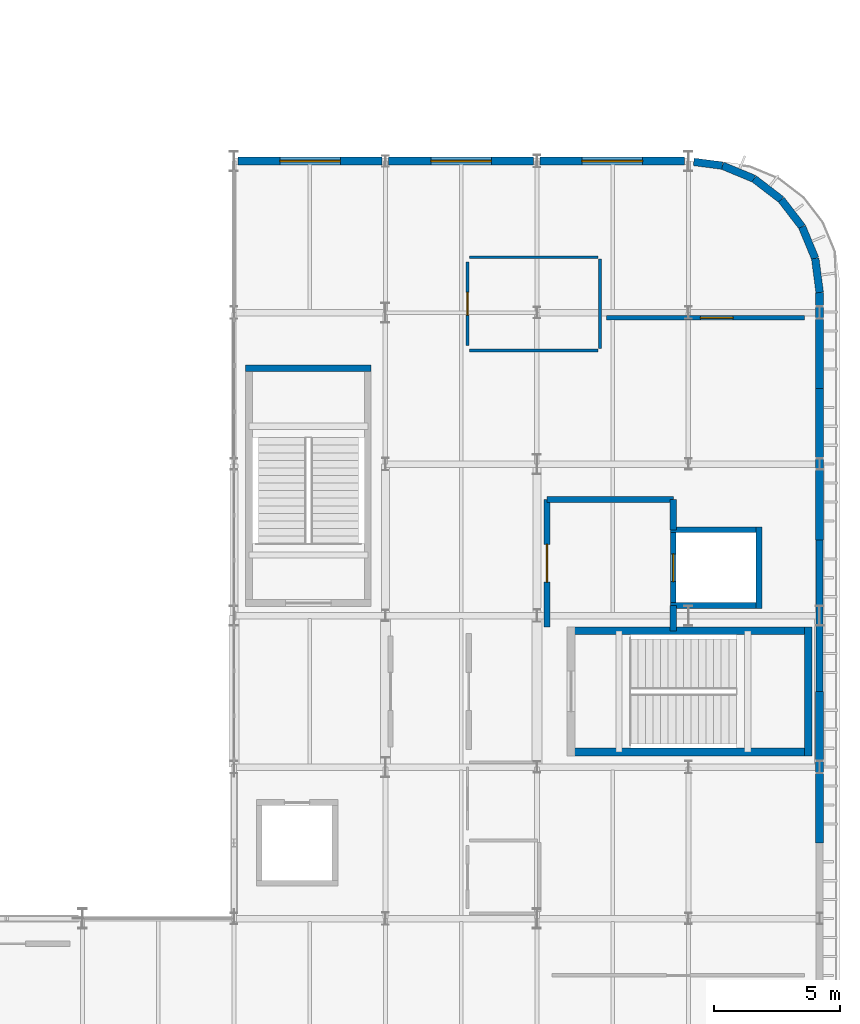
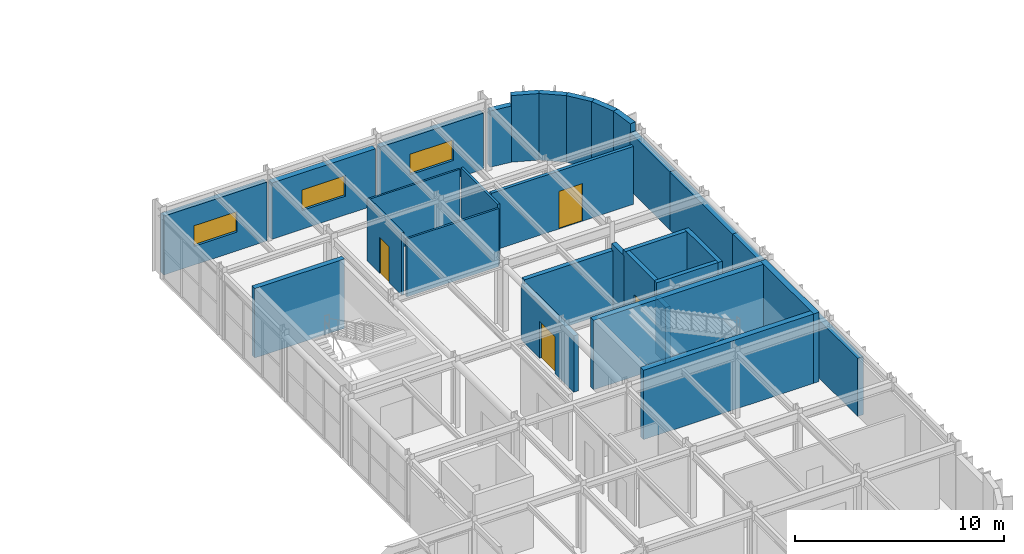
# One storey, part 65 of 83: 30 walls, 4 doors, 3 windows, 7 openings.
"""IFC4 building model written with IfcOpenShell, lengths in metres."""

from ifc_helpers import new_model, si_unit, direction, frame, frame_2d, origin, place, context, subcontext, project, spatial, rectangle, extrude, material, layer, layer_set, type_object, element, fill, save


model = new_model("IFC4")

# Units and contexts
model_context = context("Model", 3, precision=1e-05, world=origin(), true_north=direction((0.0, 1.0)))
body_context = subcontext(model_context, "Body", "Model", "MODEL_VIEW")
ifc_project = project(units=[si_unit("LENGTHUNIT", "METRE"), si_unit("AREAUNIT", "SQUARE_METRE"), si_unit("VOLUMEUNIT", "CUBIC_METRE"), si_unit("PLANEANGLEUNIT", "RADIAN"), si_unit("MASSUNIT", "GRAM", prefix="KILO")], contexts=[model_context])

# Site, building, storey
site_placement = place(None, origin())
site = spatial("IfcSite", under=ifc_project, at=site_placement, CompositionType="ELEMENT")
building_placement = place(site_placement, origin())
building = spatial("IfcBuilding", under=site, at=building_placement, Name="Varnakota Square Police Headquarters", CompositionType="ELEMENT")
storey_placement = place(building_placement, frame((0.0, 0.0, 18.0)))
storey = spatial("IfcBuildingStorey", under=building, at=storey_placement, Name="L04", CompositionType="ELEMENT", Elevation=18.0)

# Walls
ifc_material_1 = material(Name="Concrete M40", Category="concrete")
ifc_layer_1 = layer(ifc_material_1, 0.22998046875, Name="Concrete M40")
ifc_layer_set_1 = layer_set([ifc_layer_1], Name="Concrete M40")
wall_type_1 = type_object("IfcWallType", Name="WL-CORE-230", PredefinedType="SHEAR", material=ifc_layer_set_1)
wall_1_placement = place(storey_placement, frame((155.284912109375, 27.39990234375, 0.0), z_axis=(0.0, 0.0, 1.0), x_axis=(1.0, 0.0, 0.0)))
element("IfcWall", 1, at=wall_1_placement, inside=storey, type_object=wall_type_1, Name="Lift shaft wall LF-FF2 L04 S", PredefinedType="SHEAR", context=body_context, shape_type="SweptSolid", body=[
    extrude(rectangle(XDim=3.630126953125, YDim=0.22998046875, at=frame_2d((1.81494140625, 0.0))), origin(), (0.0, 0.0, 1.0), 4.199951171875),
])
wall_2_placement = place(storey_placement, frame((158.800048828125, 27.284912109375, 0.0), z_axis=(0.0, 0.0, 1.0), x_axis=(0.0, 1.0, 0.0)))
element("IfcWall", 2, at=wall_2_placement, inside=storey, type_object=wall_type_1, Name="Lift shaft wall LF-FF2 L04 E", PredefinedType="SHEAR", context=body_context, shape_type="SweptSolid", body=[
    extrude(rectangle(XDim=3.22998046875, YDim=0.22998046875, at=frame_2d((1.614990234375, 0.0))), origin(), (0.0, 0.0, 1.0), 4.199951171875),
])
wall_3_placement = place(storey_placement, frame((158.9150390625, 30.39990234375, 0.0), z_axis=(0.0, 0.0, 1.0), x_axis=(-1.0, 0.0, 0.0)))
element("IfcWall", 3, at=wall_3_placement, inside=storey, type_object=wall_type_1, Name="Lift shaft wall LF-FF2 L04 N", PredefinedType="SHEAR", context=body_context, shape_type="SweptSolid", body=[
    extrude(rectangle(XDim=3.630126953125, YDim=0.22998046875, at=frame_2d((1.81494140625, 0.0))), origin(), (0.0, 0.0, 1.0), 4.199951171875),
])

# Wall, opening, door
wall_4_placement = place(storey_placement, frame((155.39990234375, 30.514892578125, 0.0), z_axis=(0.0, 0.0, 1.0), x_axis=(0.0, -1.0, 0.0)))
wall_4 = element("IfcWall", 4, at=wall_4_placement, inside=storey, type_object=wall_type_1, Name="Lift shaft wall LF-FF2 L04 W", PredefinedType="SHEAR", context=body_context, shape_type="SweptSolid", body=[
    extrude(rectangle(XDim=3.22998046875, YDim=0.22998046875, at=frame_2d((1.614990234375, 0.0))), origin(), (0.0, 0.0, 1.0), 4.199951171875),
])
opening_1_placement = place(wall_4_placement, frame((1.06494140625, 0.0, 0.0)))
opening_1 = element("IfcOpeningElement", 5, at=opening_1_placement, cuts=wall_4, Name="Opening LD013", PredefinedType="OPENING", context=body_context, shape_type="SweptSolid", body=[
    extrude(rectangle(XDim=1.10009765625, YDim=2.199951171875, at=frame_2d((0.550048828125, 1.10009765625))), frame((0.0, 0.125, 0.0), z_axis=(0.0, -1.0, 0.0), x_axis=(1.0, 0.0, 0.0)), (0.0, 0.0, 1.0), 0.25),
])
ifc_material_2 = material(Name="Brushed Grade 316 Stainless Steel", Category="steel")
door_type_1 = type_object("IfcDoorType", Name="DR-LD-FF", OperationType="NOTDEFINED", PredefinedType="DOOR", material=ifc_material_2)
door_1_placement = place(opening_1_placement, origin())
door_1 = element("IfcDoor", 6, at=door_1_placement, inside=storey, type_object=door_type_1, Name="Lift sliding landing door LD013", OperationType="SLIDING_TO_LEFT", OverallHeight=2.199951171875, OverallWidth=1.10009765625, PredefinedType="DOOR", context=body_context, shape_type="SweptSolid", body=[
    extrude(rectangle(XDim=1.10009765625, YDim=2.199951171875, at=frame_2d((0.550048828125, 1.10009765625))), frame((0.0, 0.02490234375, 0.0), z_axis=(0.0, -1.0, 0.0), x_axis=(1.0, 0.0, 0.0)), (0.0, 0.0, 1.0), 0.050048828125),
])
fill(opening_1, door_1)

# Walls
ifc_material_3 = material(Name="Concrete M50", Category="concrete")
ifc_layer_2 = layer(ifc_material_3, 0.27001953125, Name="Concrete M50")
ifc_layer_set_2 = layer_set([ifc_layer_2], Name="Concrete M50")
wall_type_2 = type_object("IfcWallType", Name="WL-CORE-270", PredefinedType="SHEAR", material=ifc_layer_set_2)
wall_5_placement = place(storey_placement, frame((143.43505859375, 36.800048828125, 0.0), z_axis=(0.0, 0.0, 1.0), x_axis=(-1.0, 0.0, 0.0)))
element("IfcWall", 7, at=wall_5_placement, inside=storey, type_object=wall_type_2, Name="Core C3 shear wall L04 N", PredefinedType="SHEAR", context=body_context, shape_type="SweptSolid", body=[
    extrude(rectangle(XDim=4.969970703125, YDim=0.27001953125, at=frame_2d((2.48486328125, 0.0))), origin(), (0.0, 0.0, 1.0), 4.06005859375),
])
ifc_layer_3 = layer(ifc_material_3, 0.31005859375, Name="Concrete M50")
ifc_layer_set_3 = layer_set([ifc_layer_3], Name="Concrete M50")
wall_type_3 = type_object("IfcWallType", Name="WL-CORE-310", PredefinedType="SHEAR", material=ifc_layer_set_3)
wall_6_placement = place(storey_placement, frame((151.195068359375, 21.60009765625, 0.0), z_axis=(0.0, 0.0, 1.0), x_axis=(1.0, 0.0, 0.0)))
element("IfcWall", 8, at=wall_6_placement, inside=storey, type_object=wall_type_3, Name="Core C2 shear wall L04 S", PredefinedType="SHEAR", context=body_context, shape_type="SweptSolid", body=[
    extrude(rectangle(XDim=9.7099609375, YDim=0.31005859375, at=frame_2d((4.85498046875, 0.0))), origin(), (0.0, 0.0, 1.0), 4.06005859375),
])
wall_7_placement = place(storey_placement, frame((160.75, 21.445068359375, 0.0), z_axis=(0.0, 0.0, 1.0), x_axis=(0.0, 1.0, 0.0)))
element("IfcWall", 9, at=wall_7_placement, inside=storey, type_object=wall_type_3, Name="Core C2 shear wall L04 E", PredefinedType="SHEAR", context=body_context, shape_type="SweptSolid", body=[
    extrude(rectangle(XDim=5.10986328125, YDim=0.31005859375, at=frame_2d((2.554931640625, 0.0))), origin(), (0.0, 0.0, 1.0), 4.06005859375),
])
wall_8_placement = place(storey_placement, frame((160.905029296875, 26.39990234375, 0.0), z_axis=(0.0, 0.0, 1.0), x_axis=(-1.0, 0.0, 0.0)))
element("IfcWall", 10, at=wall_8_placement, inside=storey, type_object=wall_type_3, Name="Core C2 shear wall L04 N", PredefinedType="SHEAR", context=body_context, shape_type="SweptSolid", body=[
    extrude(rectangle(XDim=9.7099609375, YDim=0.31005859375, at=frame_2d((4.85498046875, 0.0))), origin(), (0.0, 0.0, 1.0), 4.06005859375),
])
ifc_layer_4 = layer(ifc_material_1, 0.280029296875, Name="Concrete M40")
ifc_layer_set_4 = layer_set([ifc_layer_4], Name="Concrete M40")
wall_type_4 = type_object("IfcWallType", Name="WL-EXT-280", PredefinedType="SOLIDWALL", material=ifc_layer_set_4)
wall_9_placement = place(storey_placement, frame((161.199951171875, 24.0, 0.0), z_axis=(0.0, 0.0, 1.0), x_axis=(0.0, 1.0, 0.0)))
element("IfcWall", 11, at=wall_9_placement, inside=storey, type_object=wall_type_4, Name="Exterior wall EW-L04-0253", PredefinedType="SOLIDWALL", context=body_context, shape_type="SweptSolid", body=[
    extrude(rectangle(XDim=6.0, YDim=0.280029296875, at=frame_2d((3.0, 0.0))), origin(), (0.0, 0.0, 1.0), 3.389892578125),
])
ifc_material_4 = material(Name="Precast concrete M40", Category="concrete")
ifc_layer_5 = layer(ifc_material_4, 0.300048828125, Name="Precast concrete M40")
ifc_layer_set_5 = layer_set([ifc_layer_5], Name="Precast concrete M40")
wall_type_5 = type_object("IfcWallType", Name="WL-EXT-300", PredefinedType="SOLIDWALL", material=ifc_layer_set_5)
wall_10_placement = place(storey_placement, frame((161.199951171875, 39.800048828125, 0.0), z_axis=(0.0, 0.0, 1.0), x_axis=(-0.130561507967, 0.991440211328, 0.0)))
element("IfcWall", 12, at=wall_10_placement, inside=storey, type_object=wall_type_5, Name="Exterior wall EW-L04-0275", PredefinedType="SOLIDWALL", context=body_context, shape_type="SweptSolid", body=[
    extrude(rectangle(XDim=1.357666015625, YDim=0.300048828125, at=frame_2d((0.6787109375, 0.0))), origin(), (0.0, 0.0, 1.0), 3.89501953125),
])
wall_11_placement = place(storey_placement, frame((161.022705078125, 41.14599609375, 0.0), z_axis=(0.0, 0.0, 1.0), x_axis=(-0.382621882407, 0.923905024937, 0.0)))
element("IfcWall", 13, at=wall_11_placement, inside=storey, type_object=wall_type_5, Name="Exterior wall EW-L04-0276", PredefinedType="SOLIDWALL", context=body_context, shape_type="SweptSolid", body=[
    extrude(rectangle(XDim=1.357177734375, YDim=0.300048828125, at=frame_2d((0.6787109375, 0.0))), origin(), (0.0, 0.0, 1.0), 3.89501953125),
])
wall_12_placement = place(storey_placement, frame((160.50341796875, 42.39990234375, 0.0), z_axis=(0.0, 0.0, 1.0), x_axis=(-0.60871087169, 0.793392131727, 0.0)))
element("IfcWall", 14, at=wall_12_placement, inside=storey, type_object=wall_type_5, Name="Exterior wall EW-L04-0277", PredefinedType="SOLIDWALL", context=body_context, shape_type="SweptSolid", body=[
    extrude(rectangle(XDim=1.357666015625, YDim=0.300048828125, at=frame_2d((0.6787109375, 0.0))), origin(), (0.0, 0.0, 1.0), 3.89501953125),
])
for number, where, z_axis, x_axis, name in (
    (15, (159.677001953125, 43.47705078125, 0.0), (0.0, 0.0, 1.0), (-0.793412351971, 0.608684515772, 0.0), "Exterior wall EW-L04-0278"),
    (16, (158.60009765625, 44.30322265625, 0.0), (0.0, 0.0, 1.0), (-0.92386777328, 0.382711820428, 0.0), "Exterior wall EW-L04-0279"),
):
    element("IfcWall", number, at=place(storey_placement, frame(where, z_axis=z_axis, x_axis=x_axis)), inside=storey, type_object=wall_type_5, Name=name, PredefinedType="SOLIDWALL", context=body_context, shape_type="SweptSolid", body=[
        extrude(rectangle(XDim=1.357421875, YDim=0.300048828125, at=frame_2d((0.6787109375, 0.0))), origin(), (0.0, 0.0, 1.0), 3.89501953125),
    ])
wall_13_placement = place(storey_placement, frame((157.345947265625, 44.82275390625, 0.0), z_axis=(0.0, 0.0, 1.0), x_axis=(-0.991444840399, 0.130526351537, 0.0)))
element("IfcWall", 17, at=wall_13_placement, inside=storey, type_object=wall_type_5, Name="Exterior wall EW-L04-0280", PredefinedType="SOLIDWALL", context=body_context, shape_type="SweptSolid", body=[
    extrude(rectangle(XDim=1.142822265625, YDim=0.300048828125, at=frame_2d((0.5712890625, 0.0))), origin(), (0.0, 0.0, 1.0), 3.2900390625),
])
ifc_layer_6 = layer(ifc_material_4, 0.320068359375, Name="Precast concrete M40")
ifc_layer_set_6 = layer_set([ifc_layer_6], Name="Precast concrete M40")
wall_type_6 = type_object("IfcWallType", Name="WL-EXT-320", PredefinedType="SOLIDWALL", material=ifc_layer_set_6)
for number, where, z_axis, x_axis, name in (
    (18, (161.199951171875, 18.0, 0.0), (0.0, 0.0, 1.0), (0.0, 1.0, 0.0), "Exterior wall EW-L04-0252"),
    (19, (161.199951171875, 30.0, 0.0), (0.0, 0.0, 1.0), (0.0, 1.0, 0.0), "Exterior wall EW-L04-0254"),
):
    element("IfcWall", number, at=place(storey_placement, frame(where, z_axis=z_axis, x_axis=x_axis)), inside=storey, type_object=wall_type_6, Name=name, PredefinedType="SOLIDWALL", context=body_context, shape_type="SweptSolid", body=[
        extrude(rectangle(XDim=6.0, YDim=0.320068359375, at=frame_2d((3.0, 0.0))), origin(), (0.0, 0.0, 1.0), 3.389892578125),
    ])
wall_14_placement = place(storey_placement, frame((161.199951171875, 36.0, 0.0), z_axis=(0.0, 0.0, 1.0), x_axis=(0.0, 1.0, 0.0)))
element("IfcWall", 20, at=wall_14_placement, inside=storey, type_object=wall_type_6, Name="Exterior wall EW-L04-0255", PredefinedType="SOLIDWALL", context=body_context, shape_type="SweptSolid", body=[
    extrude(rectangle(XDim=3.800048828125, YDim=0.320068359375, at=frame_2d((1.89990234375, 0.0))), origin(), (0.0, 0.0, 1.0), 3.389892578125),
])

# Wall, opening, window
wall_15_placement = place(storey_placement, frame((138.1640625, 45.0, 0.0), z_axis=(0.0, 0.0, 1.0), x_axis=(1.0, 0.0, 0.0)))
wall_15 = element("IfcWall", 21, at=wall_15_placement, inside=storey, type_object=wall_type_6, Name="Exterior wall EW-L04-0260", PredefinedType="SOLIDWALL", context=body_context, shape_type="SweptSolid", body=[
    extrude(rectangle(XDim=5.70703125, YDim=0.320068359375, at=frame_2d((2.853515625, 0.0))), origin(), (0.0, 0.0, 1.0), 3.43994140625),
])
opening_2_placement = place(wall_15_placement, frame((1.653564453125, 0.0, 1.10009765625)))
opening_2 = element("IfcOpeningElement", 22, at=opening_2_placement, cuts=wall_15, Name="Opening W06", PredefinedType="OPENING", context=body_context, shape_type="SweptSolid", body=[
    extrude(rectangle(XDim=2.39990234375, YDim=1.199951171875, at=frame_2d((1.199951171875, 0.60009765625))), frame((0.0, 0.169921875, 0.0), z_axis=(0.0, -1.0, 0.0), x_axis=(1.0, 0.0, 0.0)), (0.0, 0.0, 1.0), 0.340087890625),
])
ifc_material_5 = material(Name="Thermally Broken Aluminium Double-Glazed Window", Category="aluminium")
window_type = type_object("IfcWindowType", Name="WIN-06", PartitioningType="SINGLE_PANEL", PredefinedType="WINDOW", material=ifc_material_5)
window_1_placement = place(opening_2_placement, origin())
window_1 = element("IfcWindow", 23, at=window_1_placement, inside=storey, type_object=window_type, Name="Window WN-L04-0044", OverallHeight=1.199951171875, OverallWidth=2.39990234375, PartitioningType="SINGLE_PANEL", PredefinedType="WINDOW", context=body_context, shape_type="SweptSolid", body=[
    extrude(rectangle(XDim=2.39990234375, YDim=1.199951171875, at=frame_2d((1.199951171875, 0.60009765625))), frame((0.0, 0.030029296875, 0.0), z_axis=(0.0, -1.0, 0.0), x_axis=(1.0, 0.0, 0.0)), (0.0, 0.0, 1.0), 0.06005859375),
])
fill(opening_2, window_1)

wall_16_placement = place(storey_placement, frame((144.12890625, 45.0, 0.0), z_axis=(0.0, 0.0, 1.0), x_axis=(1.0, 0.0, 0.0)))
wall_16 = element("IfcWall", 24, at=wall_16_placement, inside=storey, type_object=wall_type_6, Name="Exterior wall EW-L04-0261", PredefinedType="SOLIDWALL", context=body_context, shape_type="SweptSolid", body=[
    extrude(rectangle(XDim=5.7421875, YDim=0.320068359375, at=frame_2d((2.87109375, 0.0))), origin(), (0.0, 0.0, 1.0), 3.2900390625),
])
opening_3_placement = place(wall_16_placement, frame((1.6708984375, 0.0, 1.10009765625)))
opening_3 = element("IfcOpeningElement", 25, at=opening_3_placement, cuts=wall_16, Name="Opening W06", PredefinedType="OPENING", context=body_context, shape_type="SweptSolid", body=[
    extrude(rectangle(XDim=2.39990234375, YDim=1.199951171875, at=frame_2d((1.199951171875, 0.60009765625))), frame((0.0, 0.169921875, 0.0), z_axis=(0.0, -1.0, 0.0), x_axis=(1.0, 0.0, 0.0)), (0.0, 0.0, 1.0), 0.340087890625),
])
window_2_placement = place(opening_3_placement, origin())
window_2 = element("IfcWindow", 26, at=window_2_placement, inside=storey, type_object=window_type, Name="Window WN-L04-0045", OverallHeight=1.199951171875, OverallWidth=2.39990234375, PartitioningType="SINGLE_PANEL", PredefinedType="WINDOW", context=body_context, shape_type="SweptSolid", body=[
    extrude(rectangle(XDim=2.39990234375, YDim=1.199951171875, at=frame_2d((1.199951171875, 0.60009765625))), frame((0.0, 0.030029296875, 0.0), z_axis=(0.0, -1.0, 0.0), x_axis=(1.0, 0.0, 0.0)), (0.0, 0.0, 1.0), 0.06005859375),
])
fill(opening_3, window_2)

wall_17_placement = place(storey_placement, frame((150.12890625, 45.0, 0.0), z_axis=(0.0, 0.0, 1.0), x_axis=(1.0, 0.0, 0.0)))
wall_17 = element("IfcWall", 27, at=wall_17_placement, inside=storey, type_object=wall_type_6, Name="Exterior wall EW-L04-0262", PredefinedType="SOLIDWALL", context=body_context, shape_type="SweptSolid", body=[
    extrude(rectangle(XDim=5.70703125, YDim=0.320068359375, at=frame_2d((2.853515625, 0.0))), origin(), (0.0, 0.0, 1.0), 3.2900390625),
])
opening_4_placement = place(wall_17_placement, frame((1.653564453125, 0.0, 1.10009765625)))
opening_4 = element("IfcOpeningElement", 28, at=opening_4_placement, cuts=wall_17, Name="Opening W06", PredefinedType="OPENING", context=body_context, shape_type="SweptSolid", body=[
    extrude(rectangle(XDim=2.39990234375, YDim=1.199951171875, at=frame_2d((1.199951171875, 0.60009765625))), frame((0.0, 0.169921875, 0.0), z_axis=(0.0, -1.0, 0.0), x_axis=(1.0, 0.0, 0.0)), (0.0, 0.0, 1.0), 0.340087890625),
])
window_3_placement = place(opening_4_placement, origin())
window_3 = element("IfcWindow", 29, at=window_3_placement, inside=storey, type_object=window_type, Name="Window WN-L04-0046", OverallHeight=1.199951171875, OverallWidth=2.39990234375, PartitioningType="SINGLE_PANEL", PredefinedType="WINDOW", context=body_context, shape_type="SweptSolid", body=[
    extrude(rectangle(XDim=2.39990234375, YDim=1.199951171875, at=frame_2d((1.199951171875, 0.60009765625))), frame((0.0, 0.030029296875, 0.0), z_axis=(0.0, -1.0, 0.0), x_axis=(1.0, 0.0, 0.0)), (0.0, 0.0, 1.0), 0.06005859375),
])
fill(opening_4, window_3)

# Walls
ifc_material_6 = material(Name="Glazed Clean-Lab Modular Partition", Category="gypsum")
ifc_layer_7 = layer(ifc_material_6, 0.10498046875, Name="Glazed Clean-Lab Modular Partition")
ifc_layer_set_7 = layer_set([ifc_layer_7], Name="Glazed Clean-Lab Modular Partition")
wall_type_7 = type_object("IfcWallType", Name="WL-PRT-105", PredefinedType="PARTITIONING", material=ifc_layer_set_7)
wall_18_placement = place(storey_placement, frame((147.330078125, 41.199951171875, 0.0), z_axis=(0.0, 0.0, 1.0), x_axis=(1.0, 0.0, 0.0)))
element("IfcWall", 30, at=wall_18_placement, inside=storey, type_object=wall_type_7, Name="Interior dividing partition PW-L04-0214 (L04 Operations Women Washroom WC)", PredefinedType="PARTITIONING", context=body_context, shape_type="SweptSolid", body=[
    extrude(rectangle(XDim=5.08984375, YDim=0.10498046875, at=frame_2d((2.544921875, 0.0))), origin(), (0.0, 0.0, 1.0), 3.43994140625),
])
ifc_material_7 = material(Name="Moisture-Resistant Tile-Backed Partition", Category="gypsum")
ifc_layer_8 = layer(ifc_material_7, 0.114990234375, Name="Moisture-Resistant Tile-Backed Partition")
ifc_layer_set_8 = layer_set([ifc_layer_8], Name="Moisture-Resistant Tile-Backed Partition")
wall_type_8 = type_object("IfcWallType", Name="WL-PRT-115", PredefinedType="PARTITIONING", material=ifc_layer_set_8)
wall_19_placement = place(storey_placement, frame((152.419921875, 37.5, 0.0), z_axis=(0.0, 0.0, 1.0), x_axis=(-1.0, 0.0, 0.0)))
element("IfcWall", 31, at=wall_19_placement, inside=storey, type_object=wall_type_8, Name="Interior dividing partition PW-L04-0213 (L04 Operations Women Washroom WC)", PredefinedType="PARTITIONING", context=body_context, shape_type="SweptSolid", body=[
    extrude(rectangle(XDim=5.08984375, YDim=0.114990234375, at=frame_2d((2.544921875, 0.0))), origin(), (0.0, 0.0, 1.0), 3.389892578125),
])

# Wall, opening, door
ifc_material_8 = material(Name="Acoustic Insulated Metal-Stud Partition", Category="gypsum")
ifc_layer_9 = layer(ifc_material_8, 0.125, Name="Acoustic Insulated Metal-Stud Partition")
ifc_layer_set_9 = layer_set([ifc_layer_9], Name="Acoustic Insulated Metal-Stud Partition")
wall_type_9 = type_object("IfcWallType", Name="WL-PRT-125", PredefinedType="PARTITIONING", material=ifc_layer_set_9)
wall_20_placement = place(storey_placement, frame((147.25, 37.699951171875, 0.0), z_axis=(0.0, 0.0, 1.0), x_axis=(0.0, 1.0, 0.0)))
wall_20 = element("IfcWall", 32, at=wall_20_placement, inside=storey, type_object=wall_type_9, Name="Interior partition PW-L04-0197 (L04 Operations Women Washroom WC)", PredefinedType="PARTITIONING", context=body_context, shape_type="SweptSolid", body=[
    extrude(rectangle(XDim=3.300048828125, YDim=0.125, at=frame_2d((1.64990234375, 0.0))), origin(), (0.0, 0.0, 1.0), 3.639892578125),
])
opening_5_placement = place(wall_20_placement, frame((1.199951171875, 0.0, 0.0)))
opening_5 = element("IfcOpeningElement", 33, at=opening_5_placement, cuts=wall_20, Name="Opening D262", PredefinedType="OPENING", context=body_context, shape_type="SweptSolid", body=[
    extrude(rectangle(XDim=0.89990234375, YDim=2.10009765625, at=frame_2d((0.449951171875, 1.050048828125))), frame((0.0, 0.072509765625, 0.0), z_axis=(0.0, -1.0, 0.0), x_axis=(1.0, 0.0, 0.0)), (0.0, 0.0, 1.0), 0.14501953125),
])
ifc_material_9 = material(Name="High-Pressure Moisture-Resistant Compact Laminate")
door_type_2 = type_object("IfcDoorType", Name="DR-WC-090", OperationType="NOTDEFINED", PredefinedType="DOOR", material=ifc_material_9)
door_2_placement = place(opening_5_placement, origin())
door_2 = element("IfcDoor", 34, at=door_2_placement, inside=storey, type_object=door_type_2, Name="Room door D262 (L04 Operations Women Washroom WC)", OperationType="SINGLE_SWING_RIGHT", OverallHeight=2.10009765625, OverallWidth=0.89990234375, PredefinedType="DOOR", context=body_context, shape_type="SweptSolid", body=[
    extrude(rectangle(XDim=0.89990234375, YDim=2.10009765625, at=frame_2d((0.449951171875, 1.050048828125))), frame((0.0, 0.02490234375, 0.0), z_axis=(0.0, -1.0, 0.0), x_axis=(1.0, 0.0, 0.0)), (0.0, 0.0, 1.0), 0.050048828125),
])
fill(opening_5, door_2)

# Wall
wall_21_placement = place(storey_placement, frame((152.5, 41.1201171875, 0.0), z_axis=(0.0, 0.0, 1.0), x_axis=(0.0, -1.0, 0.0)))
element("IfcWall", 35, at=wall_21_placement, inside=storey, type_object=wall_type_9, Name="Interior dividing partition PW-L04-0212 (L04 Operations Women Washroom WC)", PredefinedType="PARTITIONING", context=body_context, shape_type="SweptSolid", body=[
    extrude(rectangle(XDim=3.5400390625, YDim=0.125, at=frame_2d((1.77001953125, 0.0))), origin(), (0.0, 0.0, 1.0), 3.5400390625),
])

# Wall, opening, door
ifc_material_10 = material(Name="Autoclaved Aerated Concrete Blockwork", Category="masonry")
ifc_layer_10 = layer(ifc_material_10, 0.175048828125, Name="Autoclaved Aerated Concrete Blockwork")
ifc_layer_set_10 = layer_set([ifc_layer_10], Name="Autoclaved Aerated Concrete Blockwork")
wall_type_10 = type_object("IfcWallType", Name="WL-PRT-175F", PredefinedType="PARTITIONING", material=ifc_layer_set_10)
wall_22_placement = place(storey_placement, frame((160.60009765625, 38.800048828125, 0.0), z_axis=(0.0, 0.0, 1.0), x_axis=(-1.0, 0.0, 0.0)))
wall_22 = element("IfcWall", 36, at=wall_22_placement, inside=storey, type_object=wall_type_10, Name="Interior partition PW-L04-0206 (Network Forensics Examination Laboratory)", PredefinedType="PARTITIONING", context=body_context, shape_type="SweptSolid", body=[
    extrude(rectangle(XDim=7.85009765625, YDim=0.175048828125, at=frame_2d((3.925048828125, 0.0))), origin(), (0.0, 0.0, 1.0), 3.389892578125),
])
opening_6_placement = place(wall_22_placement, frame((2.824951171875, 0.0, 0.0)))
opening_6 = element("IfcOpeningElement", 37, at=opening_6_placement, cuts=wall_22, Name="Opening D271", PredefinedType="OPENING", context=body_context, shape_type="SweptSolid", body=[
    extrude(rectangle(XDim=1.300048828125, YDim=2.199951171875, at=frame_2d((0.64990234375, 1.10009765625))), frame((0.0, 0.097412109375, 0.0), z_axis=(0.0, -1.0, 0.0), x_axis=(1.0, 0.0, 0.0)), (0.0, 0.0, 1.0), 0.195068359375),
])
ifc_material_11 = material(Name="Epoxy-Coated Hermetic Galvanised Steel", Category="steel")
door_type_3 = type_object("IfcDoorType", Name="DR-LAB-130", OperationType="NOTDEFINED", PredefinedType="DOOR", material=ifc_material_11)
door_3_placement = place(opening_6_placement, origin())
door_3 = element("IfcDoor", 38, at=door_3_placement, inside=storey, type_object=door_type_3, Name="Room door D271 (Network Forensics Examination Laboratory)", OperationType="SINGLE_SWING_RIGHT", OverallHeight=2.199951171875, OverallWidth=1.300048828125, PredefinedType="DOOR", context=body_context, shape_type="SweptSolid", body=[
    extrude(rectangle(XDim=1.300048828125, YDim=2.199951171875, at=frame_2d((0.64990234375, 1.10009765625))), frame((0.0, 0.02490234375, 0.0), z_axis=(0.0, -1.0, 0.0), x_axis=(1.0, 0.0, 0.0)), (0.0, 0.0, 1.0), 0.050048828125),
])
fill(opening_6, door_3)

ifc_layer_11 = layer(ifc_material_1, 0.25, Name="Concrete M40")
ifc_layer_set_11 = layer_set([ifc_layer_11], Name="Concrete M40")
wall_type_11 = type_object("IfcWallType", Name="WL-PRT-250F", PredefinedType="PARTITIONING", material=ifc_layer_set_11)
wall_23_placement = place(storey_placement, frame((150.39990234375, 26.550048828125, 0.0), z_axis=(0.0, 0.0, 1.0), x_axis=(0.0, 1.0, 0.0)))
wall_23 = element("IfcWall", 39, at=wall_23_placement, inside=storey, type_object=wall_type_11, Name="Firefighting lobby enclosure C2 L04", PredefinedType="PARTITIONING", context=body_context, shape_type="SweptSolid", body=[
    extrude(rectangle(XDim=5.050048828125, YDim=0.25, at=frame_2d((2.52490234375, 0.0))), origin(), (0.0, 0.0, 1.0), 3.2900390625),
])
opening_7_placement = place(wall_23_placement, frame((1.77490234375, 0.0, 0.0)))
opening_7 = element("IfcOpeningElement", 40, at=opening_7_placement, cuts=wall_23, Name="Opening FD042", PredefinedType="OPENING", context=body_context, shape_type="SweptSolid", body=[
    extrude(rectangle(XDim=1.5, YDim=2.14990234375, at=frame_2d((0.75, 1.074951171875))), frame((0.0, 0.135009765625, 0.0), z_axis=(0.0, -1.0, 0.0), x_axis=(1.0, 0.0, 0.0)), (0.0, 0.0, 1.0), 0.27001953125),
])
ifc_material_12 = material(Name="Smoke-Sealed Galvanised Acoustic Steel", Category="steel")
door_type_4 = type_object("IfcDoorType", Name="DR-FFL-150", OperationType="NOTDEFINED", PredefinedType="DOOR", material=ifc_material_12)
door_4_placement = place(opening_7_placement, origin())
door_4 = element("IfcDoor", 41, at=door_4_placement, inside=storey, type_object=door_type_4, Name="Firefighting lobby fire door FD042", OperationType="DOUBLE_DOOR_SINGLE_SWING", OverallHeight=2.14990234375, OverallWidth=1.5, PredefinedType="DOOR", context=body_context, shape_type="SweptSolid", body=[
    extrude(rectangle(XDim=1.5, YDim=2.14990234375, at=frame_2d((0.75, 1.074951171875))), frame((0.0, 0.02490234375, 0.0), z_axis=(0.0, -1.0, 0.0), x_axis=(1.0, 0.0, 0.0)), (0.0, 0.0, 1.0), 0.050048828125),
])
fill(opening_7, door_4)

# Walls
wall_24_placement = place(storey_placement, frame((150.39990234375, 31.60009765625, 0.0), z_axis=(0.0, 0.0, 1.0), x_axis=(1.0, 0.0, 0.0)))
element("IfcWall", 42, at=wall_24_placement, inside=storey, type_object=wall_type_11, Name="Firefighting lobby return wall C2 L04 N", PredefinedType="PARTITIONING", context=body_context, shape_type="SweptSolid", body=[
    extrude(rectangle(XDim=5.0, YDim=0.25, at=frame_2d((2.5, 0.0))), origin(), (0.0, 0.0, 1.0), 3.5400390625),
])
wall_25_placement = place(storey_placement, frame((155.39990234375, 30.39990234375, 0.0), z_axis=(0.0, 0.0, 1.0), x_axis=(0.0, 1.0, 0.0)))
element("IfcWall", 43, at=wall_25_placement, inside=storey, type_object=wall_type_11, Name="Firefighting lobby return wall C2 L04 EN", PredefinedType="PARTITIONING", context=body_context, shape_type="SweptSolid", body=[
    extrude(rectangle(XDim=1.2001953125, YDim=0.25, at=frame_2d((0.60009765625, 0.0))), origin(), (0.0, 0.0, 1.0), 3.889892578125),
])
wall_26_placement = place(storey_placement, frame((155.39990234375, 26.39990234375, 0.0), z_axis=(0.0, 0.0, 1.0), x_axis=(0.0, 1.0, 0.0)))
element("IfcWall", 44, at=wall_26_placement, inside=storey, type_object=wall_type_11, Name="Firefighting lobby return wall C2 L04 ES", PredefinedType="PARTITIONING", context=body_context, shape_type="SweptSolid", body=[
    extrude(rectangle(XDim=1.0, YDim=0.25, at=frame_2d((0.5, 0.0))), origin(), (0.0, 0.0, 1.0), 3.2900390625),
])

save(model, "model.ifc")
